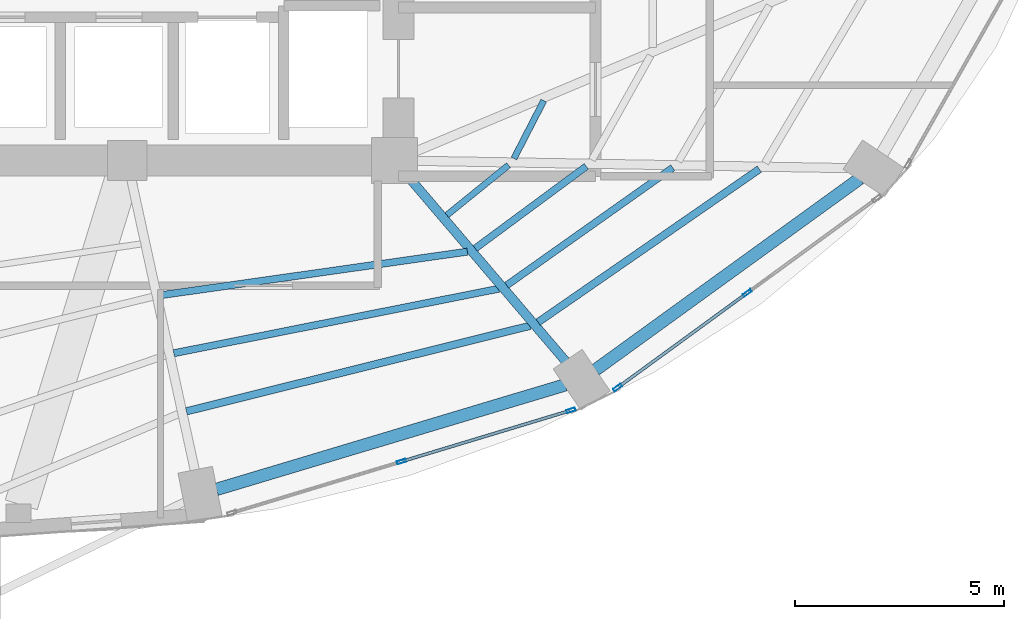
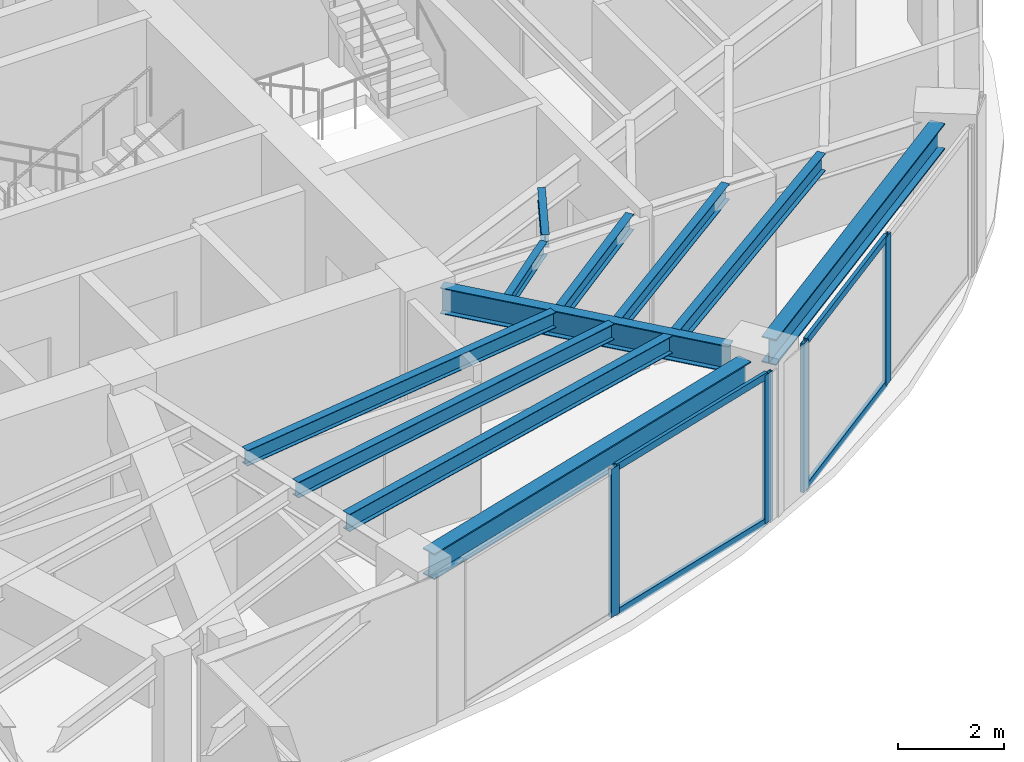
# One storey, part 10 of 23: 11 beams, 8 members, 2 elements without a shape of their own.
"""IFC4 building model written with IfcOpenShell, lengths in metres."""

from ifc_helpers import new_model, si_unit, direction, frame, origin, origin_2d, place, context, subcontext, project, spatial, hollow_rectangle, i_section, extrude, material, layer, layer_set, material_profile, profile_set, type_object, element, aggregate, save


model = new_model("IFC4")

# Units and contexts
model_context = context("Model", 3, precision=1e-05, world=origin(), true_north=direction((0.0, 1.0)))
body_context = subcontext(model_context, "Body", "Model", "MODEL_VIEW")
ifc_project = project(units=[si_unit("LENGTHUNIT", "METRE"), si_unit("AREAUNIT", "SQUARE_METRE"), si_unit("VOLUMEUNIT", "CUBIC_METRE"), si_unit("PLANEANGLEUNIT", "RADIAN"), si_unit("MASSUNIT", "GRAM", prefix="KILO")], contexts=[model_context])

# Site, building, storey
site_placement = place(None, origin())
site = spatial("IfcSite", under=ifc_project, at=site_placement, CompositionType="ELEMENT")
building_placement = place(site_placement, origin())
building = spatial("IfcBuilding", under=site, at=building_placement, Name="Lazwardi Medical Tower", CompositionType="ELEMENT")
storey_placement = place(building_placement, frame((0.0, 0.0, 107.280029296875)))
storey = spatial("IfcBuildingStorey", under=building, at=storey_placement, Name="L27", CompositionType="ELEMENT", Elevation=107.280029296875)

# Beams
ifc_material_1 = material(Name="Steel S355", Category="steel")
ifc_material_profile_1 = material_profile(ifc_material_1, i_section(OverallWidth=0.300048828125, OverallDepth=0.60009765625, WebThickness=0.015380859375, FlangeThickness=0.030029296875, at=origin_2d()), Name="HEB 600")
ifc_profile_set_1 = profile_set([ifc_material_profile_1], Name="Steel S355")
beam_type_1 = type_object("IfcBeamType", Name="BM-RB-Z2", PredefinedType="BEAM", material=ifc_profile_set_1)
beam_1_placement = place(storey_placement, frame((41.338134765625, 12.5205078125, 3.1279296875), z_axis=(0.957879438442, 0.287170648587, 0.0), x_axis=(-0.287170648587, 0.957879438442, 0.0)))
element("IfcBeam", 1, at=beam_1_placement, inside=storey, type_object=beam_type_1, Name="Ring beam RB-03 B01 L27", PredefinedType="BEAM", context=body_context, shape_type="SweptSolid", body=[
    extrude(i_section(OverallWidth=0.300048828125, OverallDepth=0.60009765625, WebThickness=0.015380859375, FlangeThickness=0.030029296875, at=origin_2d()), origin(), (0.0, 0.0, 1.0), 8.719970703125),
])
beam_2_placement = place(storey_placement, frame((50.415771484375, 15.3828125, 3.1279296875), z_axis=(0.810041907649, 0.586371987609, 0.0), x_axis=(-0.586371987609, 0.810041907649, 0.0)))
element("IfcBeam", 2, at=beam_2_placement, inside=storey, type_object=beam_type_1, Name="Ring beam RB-03 B02 L27", PredefinedType="BEAM", context=body_context, shape_type="SweptSolid", body=[
    extrude(i_section(OverallWidth=0.300048828125, OverallDepth=0.60009765625, WebThickness=0.015380859375, FlangeThickness=0.030029296875, at=origin_2d()), origin(), (0.0, 0.0, 1.0), 7.814208984375),
])
ifc_material_profile_2 = material_profile(ifc_material_1, i_section(OverallWidth=0.219970703125, OverallDepth=0.60009765625, WebThickness=0.011962890625, FlangeThickness=0.01904296875, at=origin_2d()), Name="IPE 600")
ifc_profile_set_2 = profile_set([ifc_material_profile_2], Name="Steel S355")
beam_type_2 = type_object("IfcBeamType", Name="BM-RG-W1", PredefinedType="BEAM", material=ifc_profile_set_2)
beam_3_placement = place(storey_placement, frame((49.707275390625, 15.583740234375, 3.1279296875), z_axis=(-0.648870567436, 0.760898801889, 0.0), x_axis=(-0.760898801889, -0.648870567436, 0.0)))
element("IfcBeam", 3, at=beam_3_placement, inside=storey, type_object=beam_type_2, Name="Radial girder RG-02 R02 L27", PredefinedType="BEAM", context=body_context, shape_type="SweptSolid", body=[
    extrude(i_section(OverallWidth=0.219970703125, OverallDepth=0.60009765625, WebThickness=0.011962890625, FlangeThickness=0.01904296875, at=origin_2d()), origin(), (0.0, 0.0, 1.0), 5.794677734375),
])
ifc_material_profile_3 = material_profile(ifc_material_1, i_section(OverallWidth=0.179931640625, OverallDepth=0.39990234375, WebThickness=0.008544921875, FlangeThickness=0.013427734375, at=origin_2d()), Name="IPE 400")
ifc_profile_set_3 = profile_set([ifc_material_profile_3], Name="Steel S355")
beam_type_3 = type_object("IfcBeamType", Name="BM-SJ-01", PredefinedType="JOIST", material=ifc_profile_set_3)
beam_4_placement = place(storey_placement, frame((40.618896484375, 14.390869140625, 3.22802734375), z_axis=(0.970400881943, 0.241499748081, 0.0), x_axis=(-0.241499748081, 0.970400881943, 0.0)))
element("IfcBeam", 4, at=beam_4_placement, inside=storey, type_object=beam_type_3, Name="Secondary joist SJ-01 R1 B01 L27", PredefinedType="JOIST", context=body_context, shape_type="SweptSolid", body=[
    extrude(i_section(OverallWidth=0.179931640625, OverallDepth=0.39990234375, WebThickness=0.008544921875, FlangeThickness=0.013427734375, at=origin_2d()), origin(), (0.0, 0.0, 1.0), 8.48583984375),
])
beam_5_placement = place(storey_placement, frame((49.04150390625, 16.525390625, 3.22802734375), z_axis=(0.822376339068, 0.568943896128, 0.0), x_axis=(-0.568943896128, 0.822376339068, 0.0)))
element("IfcBeam", 5, at=beam_5_placement, inside=storey, type_object=beam_type_3, Name="Secondary joist SJ-01 R1 B02 L27", PredefinedType="JOIST", context=body_context, shape_type="SweptSolid", body=[
    extrude(i_section(OverallWidth=0.179931640625, OverallDepth=0.39990234375, WebThickness=0.008544921875, FlangeThickness=0.013427734375, at=origin_2d()), origin(), (0.0, 0.0, 1.0), 6.44189453125),
])
ifc_material_profile_4 = material_profile(ifc_material_1, i_section(OverallWidth=0.169921875, OverallDepth=0.360107421875, WebThickness=0.008056640625, FlangeThickness=0.0126953125, at=origin_2d()), Name="IPE 360")
ifc_profile_set_4 = profile_set([ifc_material_profile_4], Name="Steel S355")
beam_type_4 = type_object("IfcBeamType", Name="BM-SJ-02", PredefinedType="JOIST", material=ifc_profile_set_4)
beam_6_placement = place(storey_placement, frame((40.315185546875, 15.7822265625, 3.248046875), z_axis=(0.980878853282, 0.194619308352, 0.0), x_axis=(-0.194619308352, 0.980878853282, 0.0)))
element("IfcBeam", 6, at=beam_6_placement, inside=storey, type_object=beam_type_4, Name="Secondary joist SJ-02 R2 B01 L27", PredefinedType="JOIST", context=body_context, shape_type="SweptSolid", body=[
    extrude(i_section(OverallWidth=0.169921875, OverallDepth=0.360107421875, WebThickness=0.008056640625, FlangeThickness=0.0126953125, at=origin_2d()), origin(), (0.0, 0.0, 1.0), 7.93701171875),
])
beam_7_placement = place(storey_placement, frame((48.2890625, 17.408203125, 3.248046875), z_axis=(0.816156371539, 0.577831097464, 0.0), x_axis=(-0.577831097464, 0.816156371539, 0.0)))
element("IfcBeam", 7, at=beam_7_placement, inside=storey, type_object=beam_type_4, Name="Secondary joist SJ-02 R2 B02 L27", PredefinedType="JOIST", context=body_context, shape_type="SweptSolid", body=[
    extrude(i_section(OverallWidth=0.169921875, OverallDepth=0.360107421875, WebThickness=0.008056640625, FlangeThickness=0.0126953125, at=origin_2d()), origin(), (0.0, 0.0, 1.0), 4.8740234375),
])
beam_8_placement = place(storey_placement, frame((40.011474609375, 17.1728515625, 3.248046875), z_axis=(0.990067108571, 0.140595592128, 0.0), x_axis=(-0.140595592128, 0.990067108571, 0.0)))
element("IfcBeam", 8, at=beam_8_placement, inside=storey, type_object=beam_type_4, Name="Secondary joist SJ-02 R3 B01 L27", PredefinedType="JOIST", context=body_context, shape_type="SweptSolid", body=[
    extrude(i_section(OverallWidth=0.169921875, OverallDepth=0.360107421875, WebThickness=0.008056640625, FlangeThickness=0.0126953125, at=origin_2d()), origin(), (0.0, 0.0, 1.0), 7.409423828125),
])
beam_9_placement = place(storey_placement, frame((47.53564453125, 18.291748046875, 3.248046875), z_axis=(0.804125525058, 0.594459536008, 0.0), x_axis=(-0.594459536008, 0.804125525058, 0.0)))
element("IfcBeam", 9, at=beam_9_placement, inside=storey, type_object=beam_type_4, Name="Secondary joist SJ-02 R3 B02 L27", PredefinedType="JOIST", context=body_context, shape_type="SweptSolid", body=[
    extrude(i_section(OverallWidth=0.169921875, OverallDepth=0.360107421875, WebThickness=0.008056640625, FlangeThickness=0.0126953125, at=origin_2d()), origin(), (0.0, 0.0, 1.0), 3.30810546875),
])
ifc_material_profile_5 = material_profile(ifc_material_1, i_section(OverallWidth=0.14990234375, OverallDepth=0.300048828125, WebThickness=0.007080078125, FlangeThickness=0.0107421875, at=origin_2d()), Name="IPE 300")
ifc_profile_set_5 = profile_set([ifc_material_profile_5], Name="Steel S355")
beam_type_5 = type_object("IfcBeamType", Name="BM-SJ-03", PredefinedType="JOIST", material=ifc_profile_set_5)
beam_10_placement = place(storey_placement, frame((46.85595703125, 19.089111328125, 3.278076171875), z_axis=(0.77695773322, 0.629552762515, 0.0), x_axis=(-0.629552762515, 0.77695773322, 0.0)))
element("IfcBeam", 10, at=beam_10_placement, inside=storey, type_object=beam_type_5, Name="Secondary joist SJ-03 R4 B02 L27", PredefinedType="JOIST", context=body_context, shape_type="SweptSolid", body=[
    extrude(i_section(OverallWidth=0.14990234375, OverallDepth=0.300048828125, WebThickness=0.007080078125, FlangeThickness=0.0107421875, at=origin_2d()), origin(), (0.0, 0.0, 1.0), 1.9013671875),
])
beam_11_placement = place(storey_placement, frame((48.462890625, 20.445556640625, 3.278076171875), z_axis=(0.457956589674, 0.888974556427, 0.0), x_axis=(-0.888974556427, 0.457956589674, 0.0)))
element("IfcBeam", 11, at=beam_11_placement, inside=storey, type_object=beam_type_5, Name="Secondary joist SJ-03 R4 B03 L27", PredefinedType="JOIST", context=body_context, shape_type="SweptSolid", body=[
    extrude(i_section(OverallWidth=0.14990234375, OverallDepth=0.300048828125, WebThickness=0.007080078125, FlangeThickness=0.0107421875, at=origin_2d()), origin(), (0.0, 0.0, 1.0), 1.558837890625),
])

# Curtain wall, members
ifc_material_2 = material(Name="Anodised bronze aluminium and solar control glazing", Category="aluminium")
ifc_layer = layer(ifc_material_2, 0.195068359375)
ifc_layer_set = layer_set([ifc_layer], Name="Anodised bronze aluminium and solar control glazing")
curtain_wall_type = type_object("IfcCurtainWallType", Name="CW-SYS-03", PredefinedType="NOTDEFINED", material=ifc_layer_set)
curtain_wall_1_placement = place(storey_placement, origin())
curtain_wall_1 = element("IfcCurtainWall", 12, at=curtain_wall_1_placement, inside=storey, type_object=curtain_wall_type, Name="L27 Unitised bronze curtain wall CW-03", PredefinedType="NOTDEFINED")
ifc_material_3 = material(Name="Anodised bronze aluminium", Category="aluminium")
ifc_material_profile_6 = material_profile(ifc_material_3, hollow_rectangle(XDim=0.074951171875, YDim=0.219970703125, WallThickness=0.00390625, at=origin_2d()), Name="ALU-MULLION 220x75x4")
ifc_profile_set_6 = profile_set([ifc_material_profile_6], Name="Anodised bronze aluminium")
member_type_1 = type_object("IfcMemberType", Name="CW-MUL-01", PredefinedType="MULLION", material=ifc_profile_set_6)
member_1_placement = place(storey_placement, frame((45.769287109375, 13.18701171875, 0.0), z_axis=(0.0, 0.0, 1.0), x_axis=(-0.28937381157, 0.957216170558, 0.0)))
member_1 = element("IfcMember", 13, at=member_1_placement, type_object=member_type_1, Name="CW-03 mullion 2", PredefinedType="MULLION", context=body_context, shape_type="SweptSolid", body=[
    extrude(hollow_rectangle(XDim=0.074951171875, YDim=0.219970703125, WallThickness=0.00390625, at=origin_2d()), origin(), (0.0, 0.0, 1.0), 3.427978515625),
])
member_2_placement = place(storey_placement, frame((49.828369140625, 14.4140625, 0.0), z_axis=(0.0, 0.0, 1.0), x_axis=(-0.28937381157, 0.957216170558, 0.0)))
member_2 = element("IfcMember", 14, at=member_2_placement, type_object=member_type_1, Name="CW-03 mullion 3", PredefinedType="MULLION", context=body_context, shape_type="SweptSolid", body=[
    extrude(hollow_rectangle(XDim=0.074951171875, YDim=0.219970703125, WallThickness=0.00390625, at=origin_2d()), origin(), (0.0, 0.0, 1.0), 3.427978515625),
])

curtain_wall_2_placement = place(storey_placement, origin())
curtain_wall_2 = element("IfcCurtainWall", 15, at=curtain_wall_2_placement, inside=storey, type_object=curtain_wall_type, Name="L27 Unitised bronze curtain wall CW-03", PredefinedType="NOTDEFINED")
member_3_placement = place(storey_placement, frame((50.947265625, 14.96044921875, 0.0), z_axis=(0.0, 0.0, 1.0), x_axis=(-0.589530882802, 0.807745837639, 0.0)))
member_3 = element("IfcMember", 16, at=member_3_placement, type_object=member_type_1, Name="CW-03 mullion 1", PredefinedType="MULLION", context=body_context, shape_type="SweptSolid", body=[
    extrude(hollow_rectangle(XDim=0.074951171875, YDim=0.219970703125, WallThickness=0.00390625, at=origin_2d()), origin(), (0.0, 0.0, 1.0), 3.427978515625),
])
member_4_placement = place(storey_placement, frame((54.051025390625, 17.225830078125, 0.0), z_axis=(0.0, 0.0, 1.0), x_axis=(-0.589530882802, 0.807745837639, 0.0)))
member_4 = element("IfcMember", 17, at=member_4_placement, type_object=member_type_1, Name="CW-03 mullion 2", PredefinedType="MULLION", context=body_context, shape_type="SweptSolid", body=[
    extrude(hollow_rectangle(XDim=0.074951171875, YDim=0.219970703125, WallThickness=0.00390625, at=origin_2d()), origin(), (0.0, 0.0, 1.0), 3.427978515625),
])

# Member
ifc_material_profile_7 = material_profile(ifc_material_3, hollow_rectangle(XDim=0.074951171875, YDim=0.159912109375, WallThickness=0.00390625, at=origin_2d()), Name="ALU-TRANSOM 160x75x4")
ifc_profile_set_7 = profile_set([ifc_material_profile_7], Name="Anodised bronze aluminium")
member_type_2 = type_object("IfcMemberType", Name="CW-TRN-01", PredefinedType="USERDEFINED", material=ifc_profile_set_7)
member_5_placement = place(storey_placement, frame((45.80517578125, 13.19775390625, 0.037353515625), z_axis=(0.957220865985, 0.289358279168, 0.0), x_axis=(-0.289358279168, 0.957220865985, 0.0)))
member_5 = element("IfcMember", 18, at=member_5_placement, type_object=member_type_2, Name="CW-03 transom 2.1", ObjectType="TRANSOM", PredefinedType="USERDEFINED", context=body_context, shape_type="SweptSolid", body=[
    extrude(hollow_rectangle(XDim=0.074951171875, YDim=0.159912109375, WallThickness=0.00390625, at=origin_2d()), origin(), (0.0, 0.0, 1.0), 4.16552734375),
])

member_6_placement = place(storey_placement, frame((45.80517578125, 13.19775390625, 3.390380859375), z_axis=(0.957220865985, 0.289358279168, 0.0), x_axis=(-0.289358279168, 0.957220865985, 0.0)))
member_6 = element("IfcMember", 19, at=member_6_placement, type_object=member_type_2, Name="CW-03 transom 2.2", ObjectType="TRANSOM", PredefinedType="USERDEFINED", context=body_context, shape_type="SweptSolid", body=[
    extrude(hollow_rectangle(XDim=0.074951171875, YDim=0.159912109375, WallThickness=0.00390625, at=origin_2d()), origin(), (0.0, 0.0, 1.0), 4.16552734375),
])

aggregate(curtain_wall_1, [member_1, member_2, member_5, member_6])

member_7_placement = place(storey_placement, frame((50.9775390625, 14.982421875, 0.037353515625), z_axis=(0.807731734271, 0.589550206049, 0.0), x_axis=(-0.589550206049, 0.807731734271, 0.0)))
member_7 = element("IfcMember", 20, at=member_7_placement, type_object=member_type_2, Name="CW-03 transom 1.1", ObjectType="TRANSOM", PredefinedType="USERDEFINED", context=body_context, shape_type="SweptSolid", body=[
    extrude(hollow_rectangle(XDim=0.074951171875, YDim=0.159912109375, WallThickness=0.00390625, at=origin_2d()), origin(), (0.0, 0.0, 1.0), 3.767578125),
])

member_8_placement = place(storey_placement, frame((50.9775390625, 14.982421875, 3.390380859375), z_axis=(0.807731734271, 0.589550206049, 0.0), x_axis=(-0.589550206049, 0.807731734271, 0.0)))
member_8 = element("IfcMember", 21, at=member_8_placement, type_object=member_type_2, Name="CW-03 transom 1.2", ObjectType="TRANSOM", PredefinedType="USERDEFINED", context=body_context, shape_type="SweptSolid", body=[
    extrude(hollow_rectangle(XDim=0.074951171875, YDim=0.159912109375, WallThickness=0.00390625, at=origin_2d()), origin(), (0.0, 0.0, 1.0), 3.767578125),
])

aggregate(curtain_wall_2, [member_3, member_4, member_7, member_8])

save(model, "model.ifc")
